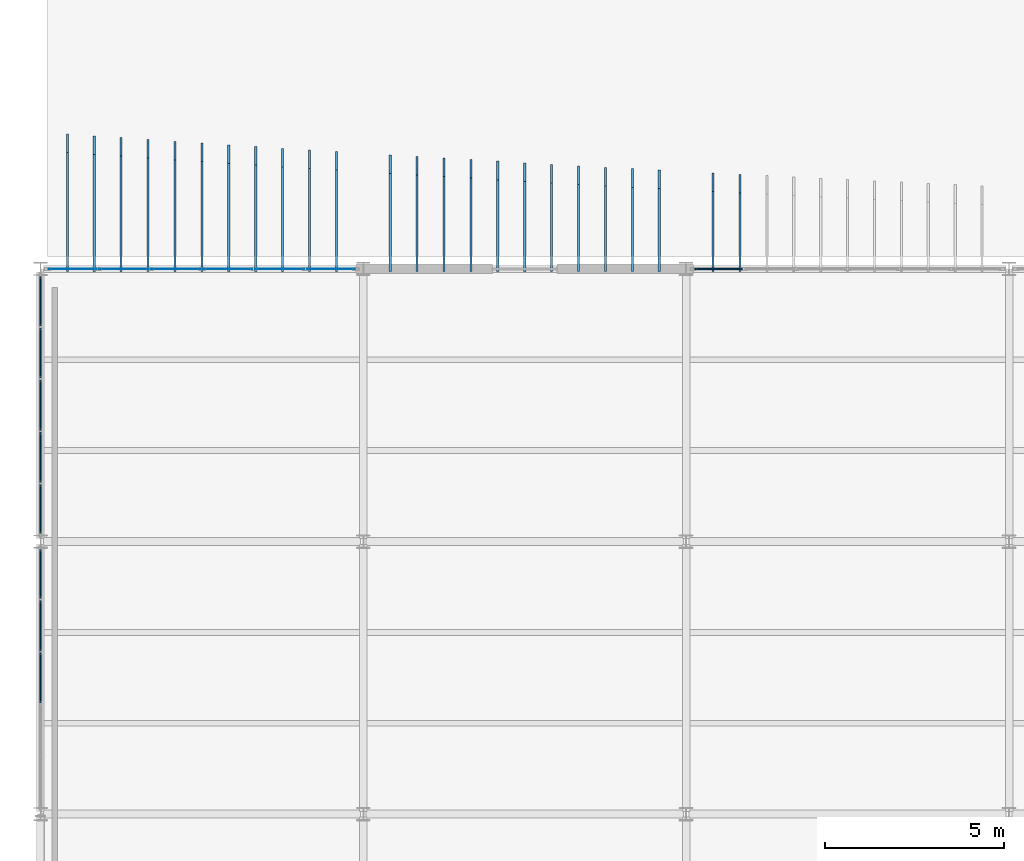
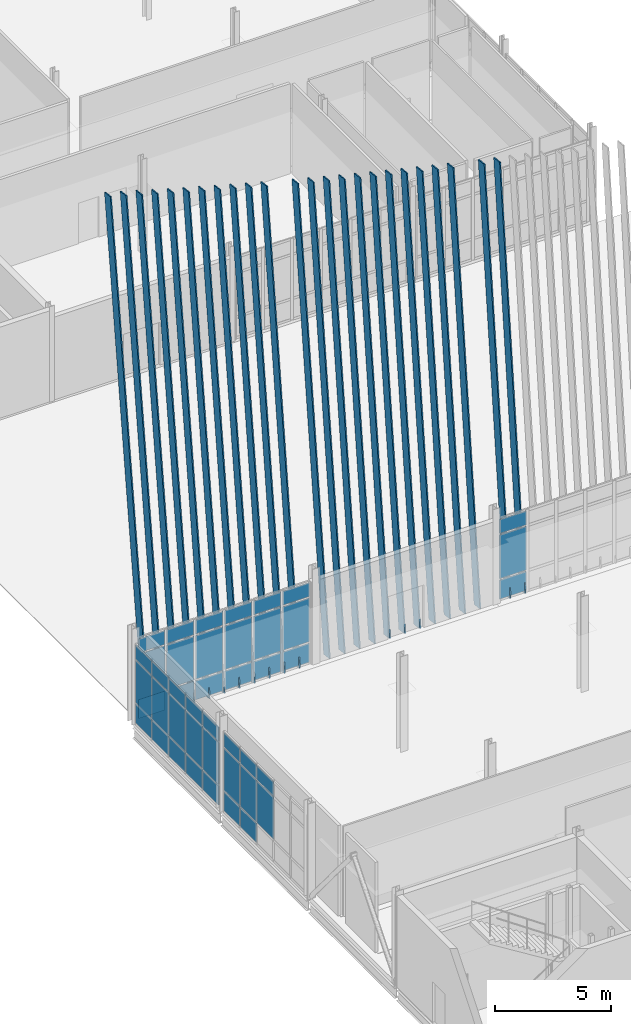
# One storey, part 122 of 161: 68 plates, 4 elements without a shape of their own.
"""IFC4 building model written with IfcOpenShell, lengths in metres."""

from ifc_helpers import new_model, si_unit, direction, frame, origin, origin_2d, place, context, subcontext, project, spatial, rectangle, extrude, material, layer, layer_set, type_object, element, aggregate, save


model = new_model("IFC4")

# Units and contexts
model_context = context("Model", 3, precision=1e-05, world=origin(), true_north=direction((0.0, 1.0)))
body_context = subcontext(model_context, "Body", "Model", "MODEL_VIEW")
ifc_project = project(units=[si_unit("LENGTHUNIT", "METRE"), si_unit("AREAUNIT", "SQUARE_METRE"), si_unit("VOLUMEUNIT", "CUBIC_METRE"), si_unit("PLANEANGLEUNIT", "RADIAN"), si_unit("MASSUNIT", "GRAM", prefix="KILO")], contexts=[model_context])

# Site, building, storey
site_placement = place(None, origin())
site = spatial("IfcSite", under=ifc_project, at=site_placement, CompositionType="ELEMENT")
building_placement = place(site_placement, origin())
building = spatial("IfcBuilding", under=site, at=building_placement, Name="Caisbarro Railhouse Central Library", CompositionType="ELEMENT")
storey_placement = place(building_placement, origin())
storey = spatial("IfcBuildingStorey", under=building, at=storey_placement, Name="L00", CompositionType="ELEMENT", Elevation=0.0)

# Curtain wall, plates
ifc_material_1 = material(Name="Anodised architectural aluminium", Category="aluminium")
curtain_wall_type_1 = type_object("IfcCurtainWallType", Name="CW-CW01", PredefinedType="NOTDEFINED", material=ifc_material_1)
curtain_wall_1_placement = place(storey_placement, origin())
curtain_wall_1 = element("IfcCurtainWall", 1, at=curtain_wall_1_placement, inside=storey, type_object=curtain_wall_type_1, Name="CW01 curtain wall L00 #1", PredefinedType="NOTDEFINED")
ifc_material_2 = material(Name="Double low-e laminated solar-control glass", Category="glass")
ifc_layer_1 = layer(ifc_material_2, 0.01806640625, Name="Double low-e laminated solar-control glass")
ifc_layer_set_1 = layer_set([ifc_layer_1], Name="Double low-e laminated solar-control glass")
plate_type_1 = type_object("IfcPlateType", Name="CWP-CP18", PredefinedType="CURTAIN_PANEL", material=ifc_layer_set_1)
plate_1_placement = place(storey_placement, frame((0.902099609375, 60.800048828125, 0.0751953125), z_axis=(0.0, 0.0, 1.0), x_axis=(1.0, 0.0, 0.0)))
plate_1 = element("IfcPlate", 2, at=plate_1_placement, type_object=plate_type_1, Name="CW01 panel 1.1", PredefinedType="CURTAIN_PANEL", context=body_context, shape_type="SweptSolid", body=[
    extrude(rectangle(XDim=1.334228515625, YDim=0.01806640625, at=origin_2d()), origin(), (0.0, 0.0, 1.0), 1.007568359375),
])
plate_2_placement = place(storey_placement, frame((0.902099609375, 60.800048828125, 1.15771484375), z_axis=(0.0, 0.0, 1.0), x_axis=(1.0, 0.0, 0.0)))
plate_2 = element("IfcPlate", 3, at=plate_2_placement, type_object=plate_type_1, Name="CW01 panel 1.2", PredefinedType="CURTAIN_PANEL", context=body_context, shape_type="SweptSolid", body=[
    extrude(rectangle(XDim=1.334228515625, YDim=0.01806640625, at=origin_2d()), origin(), (0.0, 0.0, 1.0), 2.304931640625),
])
plate_3_placement = place(storey_placement, frame((0.902099609375, 60.800048828125, 3.53759765625), z_axis=(0.0, 0.0, 1.0), x_axis=(1.0, 0.0, 0.0)))
plate_3 = element("IfcPlate", 4, at=plate_3_placement, type_object=plate_type_1, Name="CW01 panel 1.3", PredefinedType="CURTAIN_PANEL", context=body_context, shape_type="SweptSolid", body=[
    extrude(rectangle(XDim=1.334228515625, YDim=0.01806640625, at=origin_2d()), origin(), (0.0, 0.0, 1.0), 0.737548828125),
])
plate_4_placement = place(storey_placement, frame((2.330078125, 60.800048828125, 0.0751953125), z_axis=(0.0, 0.0, 1.0), x_axis=(1.0, 0.0, 0.0)))
plate_4 = element("IfcPlate", 5, at=plate_4_placement, type_object=plate_type_1, Name="CW01 panel 2.1", PredefinedType="CURTAIN_PANEL", context=body_context, shape_type="SweptSolid", body=[
    extrude(rectangle(XDim=1.37158203125, YDim=0.01806640625, at=origin_2d()), origin(), (0.0, 0.0, 1.0), 1.007568359375),
])
plate_5_placement = place(storey_placement, frame((2.330078125, 60.800048828125, 1.15771484375), z_axis=(0.0, 0.0, 1.0), x_axis=(1.0, 0.0, 0.0)))
plate_5 = element("IfcPlate", 6, at=plate_5_placement, type_object=plate_type_1, Name="CW01 panel 2.2", PredefinedType="CURTAIN_PANEL", context=body_context, shape_type="SweptSolid", body=[
    extrude(rectangle(XDim=1.37158203125, YDim=0.01806640625, at=origin_2d()), origin(), (0.0, 0.0, 1.0), 2.304931640625),
])
plate_6_placement = place(storey_placement, frame((2.330078125, 60.800048828125, 3.53759765625), z_axis=(0.0, 0.0, 1.0), x_axis=(1.0, 0.0, 0.0)))
plate_6 = element("IfcPlate", 7, at=plate_6_placement, type_object=plate_type_1, Name="CW01 panel 2.3", PredefinedType="CURTAIN_PANEL", context=body_context, shape_type="SweptSolid", body=[
    extrude(rectangle(XDim=1.37158203125, YDim=0.01806640625, at=origin_2d()), origin(), (0.0, 0.0, 1.0), 0.737548828125),
])
plate_7_placement = place(storey_placement, frame((3.776611328125, 60.800048828125, 0.0751953125), z_axis=(0.0, 0.0, 1.0), x_axis=(1.0, 0.0, 0.0)))
plate_7 = element("IfcPlate", 8, at=plate_7_placement, type_object=plate_type_1, Name="CW01 panel 3.1", PredefinedType="CURTAIN_PANEL", context=body_context, shape_type="SweptSolid", body=[
    extrude(rectangle(XDim=1.37158203125, YDim=0.01806640625, at=origin_2d()), origin(), (0.0, 0.0, 1.0), 1.007568359375),
])
plate_8_placement = place(storey_placement, frame((3.776611328125, 60.800048828125, 1.15771484375), z_axis=(0.0, 0.0, 1.0), x_axis=(1.0, 0.0, 0.0)))
plate_8 = element("IfcPlate", 9, at=plate_8_placement, type_object=plate_type_1, Name="CW01 panel 3.2", PredefinedType="CURTAIN_PANEL", context=body_context, shape_type="SweptSolid", body=[
    extrude(rectangle(XDim=1.37158203125, YDim=0.01806640625, at=origin_2d()), origin(), (0.0, 0.0, 1.0), 2.304931640625),
])
plate_9_placement = place(storey_placement, frame((3.776611328125, 60.800048828125, 3.53759765625), z_axis=(0.0, 0.0, 1.0), x_axis=(1.0, 0.0, 0.0)))
plate_9 = element("IfcPlate", 10, at=plate_9_placement, type_object=plate_type_1, Name="CW01 panel 3.3", PredefinedType="CURTAIN_PANEL", context=body_context, shape_type="SweptSolid", body=[
    extrude(rectangle(XDim=1.37158203125, YDim=0.01806640625, at=origin_2d()), origin(), (0.0, 0.0, 1.0), 0.737548828125),
])
plate_10_placement = place(storey_placement, frame((5.223388671875, 60.800048828125, 0.0751953125), z_axis=(0.0, 0.0, 1.0), x_axis=(1.0, 0.0, 0.0)))
plate_10 = element("IfcPlate", 11, at=plate_10_placement, type_object=plate_type_1, Name="CW01 panel 4.1", PredefinedType="CURTAIN_PANEL", context=body_context, shape_type="SweptSolid", body=[
    extrude(rectangle(XDim=1.37158203125, YDim=0.01806640625, at=origin_2d()), origin(), (0.0, 0.0, 1.0), 1.007568359375),
])
plate_11_placement = place(storey_placement, frame((5.223388671875, 60.800048828125, 1.15771484375), z_axis=(0.0, 0.0, 1.0), x_axis=(1.0, 0.0, 0.0)))
plate_11 = element("IfcPlate", 12, at=plate_11_placement, type_object=plate_type_1, Name="CW01 panel 4.2", PredefinedType="CURTAIN_PANEL", context=body_context, shape_type="SweptSolid", body=[
    extrude(rectangle(XDim=1.37158203125, YDim=0.01806640625, at=origin_2d()), origin(), (0.0, 0.0, 1.0), 2.304931640625),
])
plate_12_placement = place(storey_placement, frame((5.223388671875, 60.800048828125, 3.53759765625), z_axis=(0.0, 0.0, 1.0), x_axis=(1.0, 0.0, 0.0)))
plate_12 = element("IfcPlate", 13, at=plate_12_placement, type_object=plate_type_1, Name="CW01 panel 4.3", PredefinedType="CURTAIN_PANEL", context=body_context, shape_type="SweptSolid", body=[
    extrude(rectangle(XDim=1.37158203125, YDim=0.01806640625, at=origin_2d()), origin(), (0.0, 0.0, 1.0), 0.737548828125),
])
plate_13_placement = place(storey_placement, frame((6.669921875, 60.800048828125, 0.0751953125), z_axis=(0.0, 0.0, 1.0), x_axis=(1.0, 0.0, 0.0)))
plate_13 = element("IfcPlate", 14, at=plate_13_placement, type_object=plate_type_1, Name="CW01 panel 5.1", PredefinedType="CURTAIN_PANEL", context=body_context, shape_type="SweptSolid", body=[
    extrude(rectangle(XDim=1.37158203125, YDim=0.01806640625, at=origin_2d()), origin(), (0.0, 0.0, 1.0), 1.007568359375),
])
plate_14_placement = place(storey_placement, frame((6.669921875, 60.800048828125, 1.15771484375), z_axis=(0.0, 0.0, 1.0), x_axis=(1.0, 0.0, 0.0)))
plate_14 = element("IfcPlate", 15, at=plate_14_placement, type_object=plate_type_1, Name="CW01 panel 5.2", PredefinedType="CURTAIN_PANEL", context=body_context, shape_type="SweptSolid", body=[
    extrude(rectangle(XDim=1.37158203125, YDim=0.01806640625, at=origin_2d()), origin(), (0.0, 0.0, 1.0), 2.304931640625),
])
plate_15_placement = place(storey_placement, frame((6.669921875, 60.800048828125, 3.53759765625), z_axis=(0.0, 0.0, 1.0), x_axis=(1.0, 0.0, 0.0)))
plate_15 = element("IfcPlate", 16, at=plate_15_placement, type_object=plate_type_1, Name="CW01 panel 5.3", PredefinedType="CURTAIN_PANEL", context=body_context, shape_type="SweptSolid", body=[
    extrude(rectangle(XDim=1.37158203125, YDim=0.01806640625, at=origin_2d()), origin(), (0.0, 0.0, 1.0), 0.737548828125),
])
plate_16_placement = place(storey_placement, frame((8.097900390625, 60.800048828125, 0.0751953125), z_axis=(0.0, 0.0, 1.0), x_axis=(1.0, 0.0, 0.0)))
plate_16 = element("IfcPlate", 17, at=plate_16_placement, type_object=plate_type_1, Name="CW01 panel 6.1", PredefinedType="CURTAIN_PANEL", context=body_context, shape_type="SweptSolid", body=[
    extrude(rectangle(XDim=1.334228515625, YDim=0.01806640625, at=origin_2d()), origin(), (0.0, 0.0, 1.0), 1.007568359375),
])
plate_17_placement = place(storey_placement, frame((8.097900390625, 60.800048828125, 1.15771484375), z_axis=(0.0, 0.0, 1.0), x_axis=(1.0, 0.0, 0.0)))
plate_17 = element("IfcPlate", 18, at=plate_17_placement, type_object=plate_type_1, Name="CW01 panel 6.2", PredefinedType="CURTAIN_PANEL", context=body_context, shape_type="SweptSolid", body=[
    extrude(rectangle(XDim=1.334228515625, YDim=0.01806640625, at=origin_2d()), origin(), (0.0, 0.0, 1.0), 2.304931640625),
])
plate_18_placement = place(storey_placement, frame((8.097900390625, 60.800048828125, 3.53759765625), z_axis=(0.0, 0.0, 1.0), x_axis=(1.0, 0.0, 0.0)))
plate_18 = element("IfcPlate", 19, at=plate_18_placement, type_object=plate_type_1, Name="CW01 panel 6.3", PredefinedType="CURTAIN_PANEL", context=body_context, shape_type="SweptSolid", body=[
    extrude(rectangle(XDim=1.334228515625, YDim=0.01806640625, at=origin_2d()), origin(), (0.0, 0.0, 1.0), 0.737548828125),
])
aggregate(curtain_wall_1, [plate_1, plate_2, plate_3, plate_4, plate_5, plate_6, plate_7, plate_8, plate_9, plate_10, plate_11, plate_12, plate_13, plate_14, plate_15, plate_16, plate_17, plate_18])

curtain_wall_2_placement = place(storey_placement, origin())
curtain_wall_2 = element("IfcCurtainWall", 20, at=curtain_wall_2_placement, inside=storey, type_object=curtain_wall_type_1, Name="CW01 curtain wall L00 #6", PredefinedType="NOTDEFINED")
ifc_layer_2 = layer(ifc_material_2, 0.0380859375, Name="Double low-e laminated solar-control glass")
ifc_layer_set_2 = layer_set([ifc_layer_2], Name="Double low-e laminated solar-control glass")
plate_type_2 = type_object("IfcPlateType", Name="CWP-CP38", PredefinedType="CURTAIN_PANEL", material=ifc_layer_set_2)
plate_19_placement = place(storey_placement, frame((18.902099609375, 60.800048828125, 0.0751953125), z_axis=(0.0, 0.0, 1.0), x_axis=(1.0, 0.0, 0.0)))
plate_19 = element("IfcPlate", 21, at=plate_19_placement, type_object=plate_type_2, Name="CW01 panel 1.1", PredefinedType="CURTAIN_PANEL", context=body_context, shape_type="SweptSolid", body=[
    extrude(rectangle(XDim=1.334228515625, YDim=0.0380859375, at=origin_2d()), origin(), (0.0, 0.0, 1.0), 1.007568359375),
])
plate_20_placement = place(storey_placement, frame((18.902099609375, 60.800048828125, 1.15771484375), z_axis=(0.0, 0.0, 1.0), x_axis=(1.0, 0.0, 0.0)))
plate_20 = element("IfcPlate", 22, at=plate_20_placement, type_object=plate_type_2, Name="CW01 panel 1.2", PredefinedType="CURTAIN_PANEL", context=body_context, shape_type="SweptSolid", body=[
    extrude(rectangle(XDim=1.334228515625, YDim=0.0380859375, at=origin_2d()), origin(), (0.0, 0.0, 1.0), 2.304931640625),
])
plate_21_placement = place(storey_placement, frame((18.902099609375, 60.800048828125, 3.53759765625), z_axis=(0.0, 0.0, 1.0), x_axis=(1.0, 0.0, 0.0)))
plate_21 = element("IfcPlate", 23, at=plate_21_placement, type_object=plate_type_2, Name="CW01 panel 1.3", PredefinedType="CURTAIN_PANEL", context=body_context, shape_type="SweptSolid", body=[
    extrude(rectangle(XDim=1.334228515625, YDim=0.0380859375, at=origin_2d()), origin(), (0.0, 0.0, 1.0), 0.737548828125),
])
aggregate(curtain_wall_2, [plate_19, plate_20, plate_21])

curtain_wall_type_2 = type_object("IfcCurtainWallType", Name="CW-CW02", PredefinedType="NOTDEFINED", material=ifc_material_1)
curtain_wall_3_placement = place(storey_placement, origin())
curtain_wall_3 = element("IfcCurtainWall", 24, at=curtain_wall_3_placement, inside=storey, type_object=curtain_wall_type_2, Name="CW02 curtain wall L00 #21", PredefinedType="NOTDEFINED")
plate_22_placement = place(storey_placement, frame((0.0, 49.39990234375, 1.157470703125), z_axis=(0.0, 0.0, 1.0), x_axis=(0.0, 1.0, 0.0)))
plate_22 = element("IfcPlate", 25, at=plate_22_placement, type_object=plate_type_2, Name="CW02 panel 3.2", PredefinedType="CURTAIN_PANEL", context=body_context, shape_type="SweptSolid", body=[
    extrude(rectangle(XDim=1.39111328125, YDim=0.0380859375, at=origin_2d()), origin(), (0.0, 0.0, 1.0), 2.205078125),
])
plate_23_placement = place(storey_placement, frame((0.0, 49.39990234375, 3.4375), z_axis=(0.0, 0.0, 1.0), x_axis=(0.0, 1.0, 0.0)))
plate_23 = element("IfcPlate", 26, at=plate_23_placement, type_object=plate_type_2, Name="CW02 panel 3.3", PredefinedType="CURTAIN_PANEL", context=body_context, shape_type="SweptSolid", body=[
    extrude(rectangle(XDim=1.39111328125, YDim=0.0380859375, at=origin_2d()), origin(), (0.0, 0.0, 1.0), 0.737548828125),
])
plate_24_placement = place(storey_placement, frame((0.0, 50.85595703125, 0.0751953125), z_axis=(0.0, 0.0, 1.0), x_axis=(0.0, 1.0, 0.0)))
plate_24 = element("IfcPlate", 27, at=plate_24_placement, type_object=plate_type_2, Name="CW02 panel 4.1", PredefinedType="CURTAIN_PANEL", context=body_context, shape_type="SweptSolid", body=[
    extrude(rectangle(XDim=1.39111328125, YDim=0.0380859375, at=origin_2d()), origin(), (0.0, 0.0, 1.0), 1.007568359375),
])
plate_25_placement = place(storey_placement, frame((0.0, 50.85595703125, 1.157470703125), z_axis=(0.0, 0.0, 1.0), x_axis=(0.0, 1.0, 0.0)))
plate_25 = element("IfcPlate", 28, at=plate_25_placement, type_object=plate_type_2, Name="CW02 panel 4.2", PredefinedType="CURTAIN_PANEL", context=body_context, shape_type="SweptSolid", body=[
    extrude(rectangle(XDim=1.39111328125, YDim=0.0380859375, at=origin_2d()), origin(), (0.0, 0.0, 1.0), 2.205078125),
])
plate_26_placement = place(storey_placement, frame((0.0, 50.85595703125, 3.4375), z_axis=(0.0, 0.0, 1.0), x_axis=(0.0, 1.0, 0.0)))
plate_26 = element("IfcPlate", 29, at=plate_26_placement, type_object=plate_type_2, Name="CW02 panel 4.3", PredefinedType="CURTAIN_PANEL", context=body_context, shape_type="SweptSolid", body=[
    extrude(rectangle(XDim=1.39111328125, YDim=0.0380859375, at=origin_2d()), origin(), (0.0, 0.0, 1.0), 0.737548828125),
])
plate_27_placement = place(storey_placement, frame((0.0, 52.295654296875, 0.0751953125), z_axis=(0.0, 0.0, 1.0), x_axis=(0.0, 1.0, 0.0)))
plate_27 = element("IfcPlate", 30, at=plate_27_placement, type_object=plate_type_2, Name="CW02 panel 5.1", PredefinedType="CURTAIN_PANEL", context=body_context, shape_type="SweptSolid", body=[
    extrude(rectangle(XDim=1.3583984375, YDim=0.0380859375, at=origin_2d()), origin(), (0.0, 0.0, 1.0), 1.007568359375),
])
plate_28_placement = place(storey_placement, frame((0.0, 52.295654296875, 1.157470703125), z_axis=(0.0, 0.0, 1.0), x_axis=(0.0, 1.0, 0.0)))
plate_28 = element("IfcPlate", 31, at=plate_28_placement, type_object=plate_type_2, Name="CW02 panel 5.2", PredefinedType="CURTAIN_PANEL", context=body_context, shape_type="SweptSolid", body=[
    extrude(rectangle(XDim=1.3583984375, YDim=0.0380859375, at=origin_2d()), origin(), (0.0, 0.0, 1.0), 2.205078125),
])
plate_29_placement = place(storey_placement, frame((0.0, 52.295654296875, 3.4375), z_axis=(0.0, 0.0, 1.0), x_axis=(0.0, 1.0, 0.0)))
plate_29 = element("IfcPlate", 32, at=plate_29_placement, type_object=plate_type_2, Name="CW02 panel 5.3", PredefinedType="CURTAIN_PANEL", context=body_context, shape_type="SweptSolid", body=[
    extrude(rectangle(XDim=1.3583984375, YDim=0.0380859375, at=origin_2d()), origin(), (0.0, 0.0, 1.0), 0.737548828125),
])
aggregate(curtain_wall_3, [plate_22, plate_23, plate_24, plate_25, plate_26, plate_27, plate_28, plate_29])

curtain_wall_4_placement = place(storey_placement, origin())
curtain_wall_4 = element("IfcCurtainWall", 33, at=curtain_wall_4_placement, inside=storey, type_object=curtain_wall_type_2, Name="CW02 curtain wall L00 #22", PredefinedType="NOTDEFINED")
ifc_layer_3 = layer(ifc_material_2, 0.048095703125, Name="Double low-e laminated solar-control glass")
ifc_layer_set_3 = layer_set([ifc_layer_3], Name="Double low-e laminated solar-control glass")
plate_type_3 = type_object("IfcPlateType", Name="CWP-CP48", PredefinedType="CURTAIN_PANEL", material=ifc_layer_set_3)
plate_30_placement = place(storey_placement, frame((0.0, 54.104248046875, 0.0751953125), z_axis=(0.0, 0.0, 1.0), x_axis=(0.0, 1.0, 0.0)))
plate_30 = element("IfcPlate", 34, at=plate_30_placement, type_object=plate_type_3, Name="CW02 panel 1.1", PredefinedType="CURTAIN_PANEL", context=body_context, shape_type="SweptSolid", body=[
    extrude(rectangle(XDim=1.3583984375, YDim=0.048095703125, at=origin_2d()), origin(), (0.0, 0.0, 1.0), 1.007568359375),
])
plate_31_placement = place(storey_placement, frame((0.0, 54.104248046875, 1.157470703125), z_axis=(0.0, 0.0, 1.0), x_axis=(0.0, 1.0, 0.0)))
plate_31 = element("IfcPlate", 35, at=plate_31_placement, type_object=plate_type_3, Name="CW02 panel 1.2", PredefinedType="CURTAIN_PANEL", context=body_context, shape_type="SweptSolid", body=[
    extrude(rectangle(XDim=1.3583984375, YDim=0.048095703125, at=origin_2d()), origin(), (0.0, 0.0, 1.0), 2.205078125),
])
plate_32_placement = place(storey_placement, frame((0.0, 54.104248046875, 3.4375), z_axis=(0.0, 0.0, 1.0), x_axis=(0.0, 1.0, 0.0)))
plate_32 = element("IfcPlate", 36, at=plate_32_placement, type_object=plate_type_3, Name="CW02 panel 1.3", PredefinedType="CURTAIN_PANEL", context=body_context, shape_type="SweptSolid", body=[
    extrude(rectangle(XDim=1.3583984375, YDim=0.048095703125, at=origin_2d()), origin(), (0.0, 0.0, 1.0), 0.737548828125),
])
plate_33_placement = place(storey_placement, frame((0.0, 55.5439453125, 0.0751953125), z_axis=(0.0, 0.0, 1.0), x_axis=(0.0, 1.0, 0.0)))
plate_33 = element("IfcPlate", 37, at=plate_33_placement, type_object=plate_type_3, Name="CW02 panel 2.1", PredefinedType="CURTAIN_PANEL", context=body_context, shape_type="SweptSolid", body=[
    extrude(rectangle(XDim=1.39111328125, YDim=0.048095703125, at=origin_2d()), origin(), (0.0, 0.0, 1.0), 1.007568359375),
])
plate_34_placement = place(storey_placement, frame((0.0, 55.5439453125, 1.157470703125), z_axis=(0.0, 0.0, 1.0), x_axis=(0.0, 1.0, 0.0)))
plate_34 = element("IfcPlate", 38, at=plate_34_placement, type_object=plate_type_3, Name="CW02 panel 2.2", PredefinedType="CURTAIN_PANEL", context=body_context, shape_type="SweptSolid", body=[
    extrude(rectangle(XDim=1.39111328125, YDim=0.048095703125, at=origin_2d()), origin(), (0.0, 0.0, 1.0), 2.205078125),
])
plate_35_placement = place(storey_placement, frame((0.0, 55.5439453125, 3.4375), z_axis=(0.0, 0.0, 1.0), x_axis=(0.0, 1.0, 0.0)))
plate_35 = element("IfcPlate", 39, at=plate_35_placement, type_object=plate_type_3, Name="CW02 panel 2.3", PredefinedType="CURTAIN_PANEL", context=body_context, shape_type="SweptSolid", body=[
    extrude(rectangle(XDim=1.39111328125, YDim=0.048095703125, at=origin_2d()), origin(), (0.0, 0.0, 1.0), 0.737548828125),
])
plate_36_placement = place(storey_placement, frame((0.0, 57.0, 0.0751953125), z_axis=(0.0, 0.0, 1.0), x_axis=(0.0, 1.0, 0.0)))
plate_36 = element("IfcPlate", 40, at=plate_36_placement, type_object=plate_type_3, Name="CW02 panel 3.1", PredefinedType="CURTAIN_PANEL", context=body_context, shape_type="SweptSolid", body=[
    extrude(rectangle(XDim=1.39111328125, YDim=0.048095703125, at=origin_2d()), origin(), (0.0, 0.0, 1.0), 1.007568359375),
])
plate_37_placement = place(storey_placement, frame((0.0, 57.0, 1.157470703125), z_axis=(0.0, 0.0, 1.0), x_axis=(0.0, 1.0, 0.0)))
plate_37 = element("IfcPlate", 41, at=plate_37_placement, type_object=plate_type_3, Name="CW02 panel 3.2", PredefinedType="CURTAIN_PANEL", context=body_context, shape_type="SweptSolid", body=[
    extrude(rectangle(XDim=1.39111328125, YDim=0.048095703125, at=origin_2d()), origin(), (0.0, 0.0, 1.0), 2.205078125),
])
plate_38_placement = place(storey_placement, frame((0.0, 57.0, 3.4375), z_axis=(0.0, 0.0, 1.0), x_axis=(0.0, 1.0, 0.0)))
plate_38 = element("IfcPlate", 42, at=plate_38_placement, type_object=plate_type_3, Name="CW02 panel 3.3", PredefinedType="CURTAIN_PANEL", context=body_context, shape_type="SweptSolid", body=[
    extrude(rectangle(XDim=1.39111328125, YDim=0.048095703125, at=origin_2d()), origin(), (0.0, 0.0, 1.0), 0.737548828125),
])
plate_39_placement = place(storey_placement, frame((0.0, 58.4560546875, 0.0751953125), z_axis=(0.0, 0.0, 1.0), x_axis=(0.0, 1.0, 0.0)))
plate_39 = element("IfcPlate", 43, at=plate_39_placement, type_object=plate_type_3, Name="CW02 panel 4.1", PredefinedType="CURTAIN_PANEL", context=body_context, shape_type="SweptSolid", body=[
    extrude(rectangle(XDim=1.39111328125, YDim=0.048095703125, at=origin_2d()), origin(), (0.0, 0.0, 1.0), 1.007568359375),
])
plate_40_placement = place(storey_placement, frame((0.0, 58.4560546875, 1.157470703125), z_axis=(0.0, 0.0, 1.0), x_axis=(0.0, 1.0, 0.0)))
plate_40 = element("IfcPlate", 44, at=plate_40_placement, type_object=plate_type_3, Name="CW02 panel 4.2", PredefinedType="CURTAIN_PANEL", context=body_context, shape_type="SweptSolid", body=[
    extrude(rectangle(XDim=1.39111328125, YDim=0.048095703125, at=origin_2d()), origin(), (0.0, 0.0, 1.0), 2.205078125),
])
plate_41_placement = place(storey_placement, frame((0.0, 58.4560546875, 3.4375), z_axis=(0.0, 0.0, 1.0), x_axis=(0.0, 1.0, 0.0)))
plate_41 = element("IfcPlate", 45, at=plate_41_placement, type_object=plate_type_3, Name="CW02 panel 4.3", PredefinedType="CURTAIN_PANEL", context=body_context, shape_type="SweptSolid", body=[
    extrude(rectangle(XDim=1.39111328125, YDim=0.048095703125, at=origin_2d()), origin(), (0.0, 0.0, 1.0), 0.737548828125),
])
plate_42_placement = place(storey_placement, frame((0.0, 59.895751953125, 0.0751953125), z_axis=(0.0, 0.0, 1.0), x_axis=(0.0, 1.0, 0.0)))
plate_42 = element("IfcPlate", 46, at=plate_42_placement, type_object=plate_type_3, Name="CW02 panel 5.1", PredefinedType="CURTAIN_PANEL", context=body_context, shape_type="SweptSolid", body=[
    extrude(rectangle(XDim=1.3583984375, YDim=0.048095703125, at=origin_2d()), origin(), (0.0, 0.0, 1.0), 1.007568359375),
])
plate_43_placement = place(storey_placement, frame((0.0, 59.895751953125, 1.157470703125), z_axis=(0.0, 0.0, 1.0), x_axis=(0.0, 1.0, 0.0)))
plate_43 = element("IfcPlate", 47, at=plate_43_placement, type_object=plate_type_3, Name="CW02 panel 5.2", PredefinedType="CURTAIN_PANEL", context=body_context, shape_type="SweptSolid", body=[
    extrude(rectangle(XDim=1.3583984375, YDim=0.048095703125, at=origin_2d()), origin(), (0.0, 0.0, 1.0), 2.205078125),
])
plate_44_placement = place(storey_placement, frame((0.0, 59.895751953125, 3.4375), z_axis=(0.0, 0.0, 1.0), x_axis=(0.0, 1.0, 0.0)))
plate_44 = element("IfcPlate", 48, at=plate_44_placement, type_object=plate_type_3, Name="CW02 panel 5.3", PredefinedType="CURTAIN_PANEL", context=body_context, shape_type="SweptSolid", body=[
    extrude(rectangle(XDim=1.3583984375, YDim=0.048095703125, at=origin_2d()), origin(), (0.0, 0.0, 1.0), 0.737548828125),
])
aggregate(curtain_wall_4, [plate_30, plate_31, plate_32, plate_33, plate_34, plate_35, plate_36, plate_37, plate_38, plate_39, plate_40, plate_41, plate_42, plate_43, plate_44])

# Plates
ifc_material_3 = material(Name="White powder-coated aluminium", Category="aluminium")
ifc_layer_4 = layer(ifc_material_3, 0.06005859375, Name="White powder-coated aluminium")
ifc_layer_set_4 = layer_set([ifc_layer_4], Name="White powder-coated aluminium")
plate_type_4 = type_object("IfcPlateType", Name="PLT-FIN01", PredefinedType="USERDEFINED", material=ifc_layer_set_4)
plate_45_placement = place(storey_placement, frame((0.75, 60.97998046875, -0.079833984375), z_axis=(0.0, 0.12948788221, 0.991581004437), x_axis=(1.0, 0.0, 0.0)))
element("IfcPlate", 49, at=plate_45_placement, inside=storey, type_object=plate_type_4, Name="FN01 Outward-Leaning White Fin 01", ObjectType="SOLAR FIN", PredefinedType="USERDEFINED", context=body_context, shape_type="SweptSolid", body=[
    extrude(rectangle(XDim=0.06005859375, YDim=0.52001953125, at=origin_2d()), origin(), (0.0, 0.0, 1.0), 25.70361328125),
])
plate_46_placement = place(storey_placement, frame((1.5, 60.97998046875, -0.079833984375), z_axis=(0.0, 0.12827634114, 0.991738463661), x_axis=(1.0, 0.0, 0.0)))
element("IfcPlate", 50, at=plate_46_placement, inside=storey, type_object=plate_type_4, Name="FN01 Outward-Leaning White Fin 02", ObjectType="SOLAR FIN", PredefinedType="USERDEFINED", context=body_context, shape_type="SweptSolid", body=[
    extrude(rectangle(XDim=0.06005859375, YDim=0.52001953125, at=origin_2d()), origin(), (0.0, 0.0, 1.0), 25.515625),
])
plate_47_placement = place(storey_placement, frame((2.25, 60.97998046875, -0.079833984375), z_axis=(0.0, 0.127237724904, 0.991872250525), x_axis=(1.0, 0.0, 0.0)))
element("IfcPlate", 51, at=plate_47_placement, inside=storey, type_object=plate_type_4, Name="FN01 Outward-Leaning White Fin 03", ObjectType="SOLAR FIN", PredefinedType="USERDEFINED", context=body_context, shape_type="SweptSolid", body=[
    extrude(rectangle(XDim=0.06005859375, YDim=0.52001953125, at=origin_2d()), origin(), (0.0, 0.0, 1.0), 25.3271484375),
])
plate_48_placement = place(storey_placement, frame((3.0, 60.97998046875, -0.080078125), z_axis=(0.0, 0.126198969136, 0.99200494968), x_axis=(1.0, 0.0, 0.0)))
element("IfcPlate", 52, at=plate_48_placement, inside=storey, type_object=plate_type_4, Name="FN01 Outward-Leaning White Fin 04", ObjectType="SOLAR FIN", PredefinedType="USERDEFINED", context=body_context, shape_type="SweptSolid", body=[
    extrude(rectangle(XDim=0.06005859375, YDim=0.52001953125, at=origin_2d()), origin(), (0.0, 0.0, 1.0), 25.138916015625),
])
plate_49_placement = place(storey_placement, frame((3.75, 60.97998046875, -0.079833984375), z_axis=(0.0, 0.124986912574, 0.992158390422), x_axis=(1.0, 0.0, 0.0)))
element("IfcPlate", 53, at=plate_49_placement, inside=storey, type_object=plate_type_4, Name="FN01 Outward-Leaning White Fin 05", ObjectType="SOLAR FIN", PredefinedType="USERDEFINED", context=body_context, shape_type="SweptSolid", body=[
    extrude(rectangle(XDim=0.06005859375, YDim=0.52001953125, at=origin_2d()), origin(), (0.0, 0.0, 1.0), 24.95068359375),
])
plate_50_placement = place(storey_placement, frame((4.5, 60.97998046875, -0.079833984375), z_axis=(0.0, 0.123947858395, 0.992288732375), x_axis=(1.0, 0.0, 0.0)))
element("IfcPlate", 54, at=plate_50_placement, inside=storey, type_object=plate_type_4, Name="FN01 Outward-Leaning White Fin 06", ObjectType="SOLAR FIN", PredefinedType="USERDEFINED", context=body_context, shape_type="SweptSolid", body=[
    extrude(rectangle(XDim=0.06005859375, YDim=0.52001953125, at=origin_2d()), origin(), (0.0, 0.0, 1.0), 24.76220703125),
])
plate_51_placement = place(storey_placement, frame((5.25, 60.97998046875, -0.080078125), z_axis=(0.0, 0.122908668292, 0.992417986162), x_axis=(1.0, 0.0, 0.0)))
element("IfcPlate", 55, at=plate_51_placement, inside=storey, type_object=plate_type_4, Name="FN01 Outward-Leaning White Fin 07", ObjectType="SOLAR FIN", PredefinedType="USERDEFINED", context=body_context, shape_type="SweptSolid", body=[
    extrude(rectangle(XDim=0.06005859375, YDim=0.52001953125, at=origin_2d()), origin(), (0.0, 0.0, 1.0), 24.586181640625),
])
plate_52_placement = place(storey_placement, frame((6.0, 60.97998046875, -0.079833984375), z_axis=(0.0, 0.121869343405, 0.992546151641), x_axis=(1.0, 0.0, 0.0)))
element("IfcPlate", 56, at=plate_52_placement, inside=storey, type_object=plate_type_4, Name="FN01 Outward-Leaning White Fin 08", ObjectType="SOLAR FIN", PredefinedType="USERDEFINED", context=body_context, shape_type="SweptSolid", body=[
    extrude(rectangle(XDim=0.06005859375, YDim=0.52001953125, at=origin_2d()), origin(), (0.0, 0.0, 1.0), 24.41015625),
])
plate_53_placement = place(storey_placement, frame((6.75, 60.97998046875, -0.080078125), z_axis=(0.0, 0.120656628871, 0.992694302346), x_axis=(1.0, 0.0, 0.0)))
element("IfcPlate", 57, at=plate_53_placement, inside=storey, type_object=plate_type_4, Name="FN01 Outward-Leaning White Fin 09", ObjectType="SOLAR FIN", PredefinedType="USERDEFINED", context=body_context, shape_type="SweptSolid", body=[
    extrude(rectangle(XDim=0.06005859375, YDim=0.52001953125, at=origin_2d()), origin(), (0.0, 0.0, 1.0), 24.234375),
])
plate_54_placement = place(storey_placement, frame((7.5, 60.97998046875, -0.079833984375), z_axis=(0.0, 0.119617015862, 0.992820109343), x_axis=(1.0, 0.0, 0.0)))
element("IfcPlate", 58, at=plate_54_placement, inside=storey, type_object=plate_type_4, Name="FN01 Outward-Leaning White Fin 10", ObjectType="SOLAR FIN", PredefinedType="USERDEFINED", context=body_context, shape_type="SweptSolid", body=[
    extrude(rectangle(XDim=0.06005859375, YDim=0.52001953125, at=origin_2d()), origin(), (0.0, 0.0, 1.0), 24.05810546875),
])
plate_55_placement = place(storey_placement, frame((8.25, 60.97998046875, -0.079833984375), z_axis=(0.0, 0.118577271677, 0.992944827592), x_axis=(1.0, 0.0, 0.0)))
element("IfcPlate", 59, at=plate_55_placement, inside=storey, type_object=plate_type_4, Name="FN01 Outward-Leaning White Fin 11", ObjectType="SOLAR FIN", PredefinedType="USERDEFINED", context=body_context, shape_type="SweptSolid", body=[
    extrude(rectangle(XDim=0.06005859375, YDim=0.52001953125, at=origin_2d()), origin(), (0.0, 0.0, 1.0), 23.882080078125),
])
plate_56_placement = place(storey_placement, frame((9.75, 60.97998046875, -0.080078125), z_axis=(0.0, 0.116324048041, 0.9932113148), x_axis=(1.0, 0.0, 0.0)))
element("IfcPlate", 60, at=plate_56_placement, inside=storey, type_object=plate_type_4, Name="FN01 Outward-Leaning White Fin 12", ObjectType="SOLAR FIN", PredefinedType="USERDEFINED", context=body_context, shape_type="SweptSolid", body=[
    extrude(rectangle(XDim=0.06005859375, YDim=0.52001953125, at=origin_2d()), origin(), (0.0, 0.0, 1.0), 23.54248046875),
])
plate_57_placement = place(storey_placement, frame((10.5, 60.97998046875, -0.079833984375), z_axis=(0.0, 0.115283895993, 0.993332584447), x_axis=(1.0, 0.0, 0.0)))
element("IfcPlate", 61, at=plate_57_placement, inside=storey, type_object=plate_type_4, Name="FN01 Outward-Leaning White Fin 13", ObjectType="SOLAR FIN", PredefinedType="USERDEFINED", context=body_context, shape_type="SweptSolid", body=[
    extrude(rectangle(XDim=0.06005859375, YDim=0.52001953125, at=origin_2d()), origin(), (0.0, 0.0, 1.0), 23.378662109375),
])
plate_58_placement = place(storey_placement, frame((11.25, 60.97998046875, -0.079833984375), z_axis=(0.0, 0.114070225565, 0.993472688925), x_axis=(1.0, 0.0, 0.0)))
element("IfcPlate", 62, at=plate_58_placement, inside=storey, type_object=plate_type_4, Name="FN01 Outward-Leaning White Fin 14", ObjectType="SOLAR FIN", PredefinedType="USERDEFINED", context=body_context, shape_type="SweptSolid", body=[
    extrude(rectangle(XDim=0.06005859375, YDim=0.52001953125, at=origin_2d()), origin(), (0.0, 0.0, 1.0), 23.215087890625),
])
plate_59_placement = place(storey_placement, frame((12.0, 60.97998046875, -0.080078125), z_axis=(0.0, 0.113029801042, 0.993591598232), x_axis=(1.0, 0.0, 0.0)))
element("IfcPlate", 63, at=plate_59_placement, inside=storey, type_object=plate_type_4, Name="FN01 Outward-Leaning White Fin 15", ObjectType="SOLAR FIN", PredefinedType="USERDEFINED", context=body_context, shape_type="SweptSolid", body=[
    extrude(rectangle(XDim=0.06005859375, YDim=0.52001953125, at=origin_2d()), origin(), (0.0, 0.0, 1.0), 23.05126953125),
])
plate_60_placement = place(storey_placement, frame((12.75, 60.97998046875, -0.079833984375), z_axis=(0.0, 0.111989252568, 0.993709417943), x_axis=(1.0, 0.0, 0.0)))
element("IfcPlate", 64, at=plate_60_placement, inside=storey, type_object=plate_type_4, Name="FN01 Outward-Leaning White Fin 16", ObjectType="SOLAR FIN", PredefinedType="USERDEFINED", context=body_context, shape_type="SweptSolid", body=[
    extrude(rectangle(XDim=0.06005859375, YDim=0.52001953125, at=origin_2d()), origin(), (0.0, 0.0, 1.0), 22.88720703125),
])
plate_61_placement = place(storey_placement, frame((13.5, 60.97998046875, -0.080078125), z_axis=(0.0, 0.110775124211, 0.993845496974), x_axis=(1.0, 0.0, 0.0)))
element("IfcPlate", 65, at=plate_61_placement, inside=storey, type_object=plate_type_4, Name="FN01 Outward-Leaning White Fin 17", ObjectType="SOLAR FIN", PredefinedType="USERDEFINED", context=body_context, shape_type="SweptSolid", body=[
    extrude(rectangle(XDim=0.06005859375, YDim=0.52001953125, at=origin_2d()), origin(), (0.0, 0.0, 1.0), 22.723876953125),
])
plate_62_placement = place(storey_placement, frame((14.25, 60.97998046875, -0.080078125), z_axis=(0.0, 0.109734311091, 0.993960955455), x_axis=(1.0, 0.0, 0.0)))
element("IfcPlate", 66, at=plate_62_placement, inside=storey, type_object=plate_type_4, Name="FN01 Outward-Leaning White Fin 18", ObjectType="SOLAR FIN", PredefinedType="USERDEFINED", context=body_context, shape_type="SweptSolid", body=[
    extrude(rectangle(XDim=0.06005859375, YDim=0.52001953125, at=origin_2d()), origin(), (0.0, 0.0, 1.0), 22.572265625),
])
plate_63_placement = place(storey_placement, frame((15.0, 60.97998046875, -0.079833984375), z_axis=(0.0, 0.108693377634, 0.994075323936), x_axis=(1.0, 0.0, 0.0)))
element("IfcPlate", 67, at=plate_63_placement, inside=storey, type_object=plate_type_4, Name="FN01 Outward-Leaning White Fin 19", ObjectType="SOLAR FIN", PredefinedType="USERDEFINED", context=body_context, shape_type="SweptSolid", body=[
    extrude(rectangle(XDim=0.06005859375, YDim=0.52001953125, at=origin_2d()), origin(), (0.0, 0.0, 1.0), 22.420654296875),
])
plate_64_placement = place(storey_placement, frame((15.75, 60.97998046875, -0.080078125), z_axis=(0.0, 0.107478804698, 0.994207376024), x_axis=(1.0, 0.0, 0.0)))
element("IfcPlate", 68, at=plate_64_placement, inside=storey, type_object=plate_type_4, Name="FN01 Outward-Leaning White Fin 20", ObjectType="SOLAR FIN", PredefinedType="USERDEFINED", context=body_context, shape_type="SweptSolid", body=[
    extrude(rectangle(XDim=0.06005859375, YDim=0.52001953125, at=origin_2d()), origin(), (0.0, 0.0, 1.0), 22.26953125),
])
plate_65_placement = place(storey_placement, frame((16.5, 60.97998046875, -0.080078125), z_axis=(0.0, 0.106437614427, 0.994319382409), x_axis=(1.0, 0.0, 0.0)))
element("IfcPlate", 69, at=plate_65_placement, inside=storey, type_object=plate_type_4, Name="FN01 Outward-Leaning White Fin 21", ObjectType="SOLAR FIN", PredefinedType="USERDEFINED", context=body_context, shape_type="SweptSolid", body=[
    extrude(rectangle(XDim=0.06005859375, YDim=0.52001953125, at=origin_2d()), origin(), (0.0, 0.0, 1.0), 22.117919921875),
])
plate_66_placement = place(storey_placement, frame((17.25, 60.97998046875, -0.079833984375), z_axis=(0.0, 0.105396307434, 0.994430298402), x_axis=(1.0, 0.0, 0.0)))
element("IfcPlate", 70, at=plate_66_placement, inside=storey, type_object=plate_type_4, Name="FN01 Outward-Leaning White Fin 22", ObjectType="SOLAR FIN", PredefinedType="USERDEFINED", context=body_context, shape_type="SweptSolid", body=[
    extrude(rectangle(XDim=0.06005859375, YDim=0.52001953125, at=origin_2d()), origin(), (0.0, 0.0, 1.0), 21.96630859375),
])
plate_67_placement = place(storey_placement, frame((18.75, 60.97998046875, -0.079833984375), z_axis=(0.0, 0.103139747302, 0.994666875153), x_axis=(1.0, 0.0, 0.0)))
element("IfcPlate", 71, at=plate_67_placement, inside=storey, type_object=plate_type_4, Name="FN01 Outward-Leaning White Fin 23", ObjectType="SOLAR FIN", PredefinedType="USERDEFINED", context=body_context, shape_type="SweptSolid", body=[
    extrude(rectangle(XDim=0.06005859375, YDim=0.52001953125, at=origin_2d()), origin(), (0.0, 0.0, 1.0), 21.67578125),
])
plate_68_placement = place(storey_placement, frame((19.5, 60.97998046875, -0.080078125), z_axis=(0.0, 0.102098078224, 0.994774337437), x_axis=(1.0, 0.0, 0.0)))
element("IfcPlate", 72, at=plate_68_placement, inside=storey, type_object=plate_type_4, Name="FN01 Outward-Leaning White Fin 24", ObjectType="SOLAR FIN", PredefinedType="USERDEFINED", context=body_context, shape_type="SweptSolid", body=[
    extrude(rectangle(XDim=0.06005859375, YDim=0.52001953125, at=origin_2d()), origin(), (0.0, 0.0, 1.0), 21.53662109375),
])

save(model, "model.ifc")
